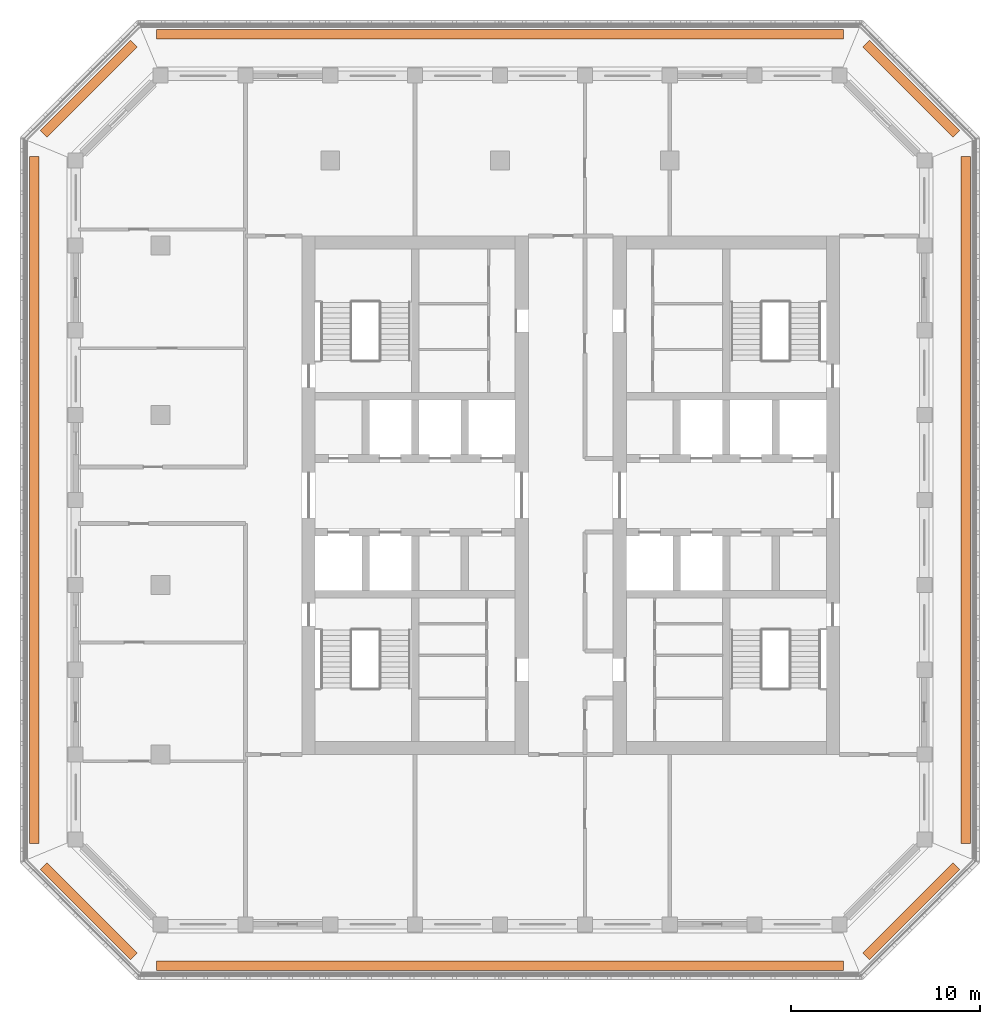
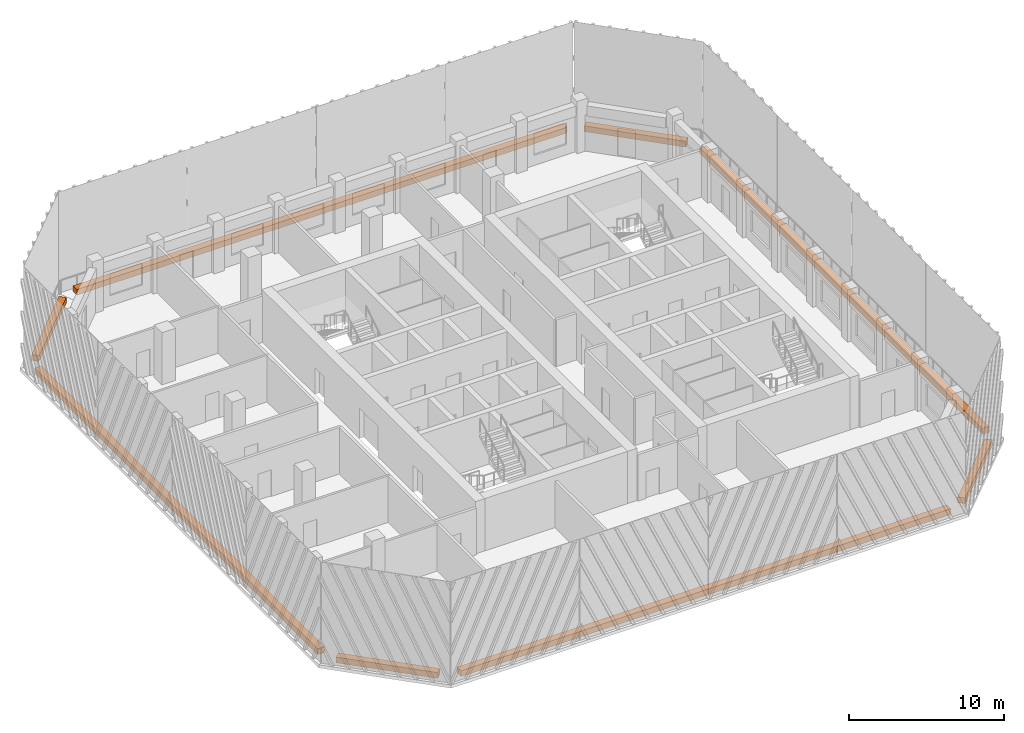
# One storey, part 15 of 15: 8 proxies.
"""IFC4 building model written with IfcOpenShell, lengths in metres."""

from ifc_helpers import new_model, si_unit, direction, frame, origin, origin_2d, place, context, subcontext, project, spatial, rectangle, extrude, material, type_object, element, save


model = new_model("IFC4")

# Units and contexts
model_context = context("Model", 3, precision=1e-05, world=origin(), true_north=direction((0.0, 1.0)))
body_context = subcontext(model_context, "Body", "Model", "MODEL_VIEW")
ifc_project = project(units=[si_unit("LENGTHUNIT", "METRE"), si_unit("AREAUNIT", "SQUARE_METRE"), si_unit("VOLUMEUNIT", "CUBIC_METRE"), si_unit("PLANEANGLEUNIT", "RADIAN"), si_unit("MASSUNIT", "GRAM", prefix="KILO")], contexts=[model_context])

# Site, building, storey
site_placement = place(None, origin())
site = spatial("IfcSite", under=ifc_project, at=site_placement, CompositionType="ELEMENT")
building_placement = place(site_placement, origin())
building = spatial("IfcBuilding", under=site, at=building_placement, Name="Corbel Stack Research Tower", CompositionType="ELEMENT")
storey_placement = place(building_placement, frame((0.0, 0.0, 282.699951171875)))
storey = spatial("IfcBuildingStorey", under=building, at=storey_placement, Name="L64", CompositionType="ELEMENT", Elevation=282.699951171875)

# Proxies
ifc_material = material(Name="Concrete C45/55", Category="concrete")
building_element_proxy_type = type_object("IfcBuildingElementProxyType", Name="Planter box", PredefinedType="USERDEFINED", material=ifc_material)
proxy_1_placement = place(storey_placement, frame((0.0, -20.199951171875, 0.0), z_axis=(0.0, 0.0, 1.0), x_axis=(1.0, 0.0, 0.0)))
element("IfcBuildingElementProxy", 1, at=proxy_1_placement, inside=storey, type_object=building_element_proxy_type, Name="Planter L64 S", ObjectType="PLANTER", PredefinedType="USERDEFINED", context=body_context, shape_type="SweptSolid", body=[
    extrude(rectangle(XDim=36.41064453125, YDim=0.5, at=origin_2d()), origin(), (0.0, 0.0, 1.0), 0.449951171875),
])
proxy_2_placement = place(storey_placement, frame((21.8056640625, -17.3056640625, 0.0), z_axis=(0.0, 0.0, 1.0), x_axis=(0.707106781187, 0.707106781187, 0.0)))
element("IfcBuildingElementProxy", 2, at=proxy_2_placement, inside=storey, type_object=building_element_proxy_type, Name="Planter L64 SE", ObjectType="PLANTER", PredefinedType="USERDEFINED", context=body_context, shape_type="SweptSolid", body=[
    extrude(rectangle(XDim=6.774658203125, YDim=0.5, at=origin_2d()), origin(), (0.0, 0.0, 1.0), 0.449951171875),
])
proxy_3_placement = place(storey_placement, frame((24.699951171875, 4.5, 0.0), z_axis=(0.0, 0.0, 1.0), x_axis=(0.0, 1.0, 0.0)))
element("IfcBuildingElementProxy", 3, at=proxy_3_placement, inside=storey, type_object=building_element_proxy_type, Name="Planter L64 E", ObjectType="PLANTER", PredefinedType="USERDEFINED", context=body_context, shape_type="SweptSolid", body=[
    extrude(rectangle(XDim=36.41064453125, YDim=0.5, at=origin_2d()), origin(), (0.0, 0.0, 1.0), 0.449951171875),
])
proxy_4_placement = place(storey_placement, frame((21.8056640625, 26.3056640625, 0.0), z_axis=(0.0, 0.0, 1.0), x_axis=(-0.707106781187, 0.707106781187, 0.0)))
element("IfcBuildingElementProxy", 4, at=proxy_4_placement, inside=storey, type_object=building_element_proxy_type, Name="Planter L64 NE", ObjectType="PLANTER", PredefinedType="USERDEFINED", context=body_context, shape_type="SweptSolid", body=[
    extrude(rectangle(XDim=6.774658203125, YDim=0.5, at=origin_2d()), origin(), (0.0, 0.0, 1.0), 0.449951171875),
])
proxy_5_placement = place(storey_placement, frame((0.0, 29.199951171875, 0.0), z_axis=(0.0, 0.0, 1.0), x_axis=(-1.0, 0.0, 0.0)))
element("IfcBuildingElementProxy", 5, at=proxy_5_placement, inside=storey, type_object=building_element_proxy_type, Name="Planter L64 N", ObjectType="PLANTER", PredefinedType="USERDEFINED", context=body_context, shape_type="SweptSolid", body=[
    extrude(rectangle(XDim=36.41064453125, YDim=0.5, at=origin_2d()), origin(), (0.0, 0.0, 1.0), 0.449951171875),
])
proxy_6_placement = place(storey_placement, frame((-21.8056640625, 26.3056640625, 0.0), z_axis=(0.0, 0.0, 1.0), x_axis=(-0.707106781187, -0.707106781187, 0.0)))
element("IfcBuildingElementProxy", 6, at=proxy_6_placement, inside=storey, type_object=building_element_proxy_type, Name="Planter L64 NW", ObjectType="PLANTER", PredefinedType="USERDEFINED", context=body_context, shape_type="SweptSolid", body=[
    extrude(rectangle(XDim=6.774658203125, YDim=0.5, at=origin_2d()), origin(), (0.0, 0.0, 1.0), 0.449951171875),
])
proxy_7_placement = place(storey_placement, frame((-24.699951171875, 4.5, 0.0), z_axis=(0.0, 0.0, 1.0), x_axis=(0.0, -1.0, 0.0)))
element("IfcBuildingElementProxy", 7, at=proxy_7_placement, inside=storey, type_object=building_element_proxy_type, Name="Planter L64 W", ObjectType="PLANTER", PredefinedType="USERDEFINED", context=body_context, shape_type="SweptSolid", body=[
    extrude(rectangle(XDim=36.41064453125, YDim=0.5, at=origin_2d()), origin(), (0.0, 0.0, 1.0), 0.449951171875),
])
proxy_8_placement = place(storey_placement, frame((-21.8056640625, -17.3056640625, 0.0), z_axis=(0.0, 0.0, 1.0), x_axis=(0.707106781187, -0.707106781187, 0.0)))
element("IfcBuildingElementProxy", 8, at=proxy_8_placement, inside=storey, type_object=building_element_proxy_type, Name="Planter L64 SW", ObjectType="PLANTER", PredefinedType="USERDEFINED", context=body_context, shape_type="SweptSolid", body=[
    extrude(rectangle(XDim=6.774658203125, YDim=0.5, at=origin_2d()), origin(), (0.0, 0.0, 1.0), 0.449951171875),
])

save(model, "model.ifc")
